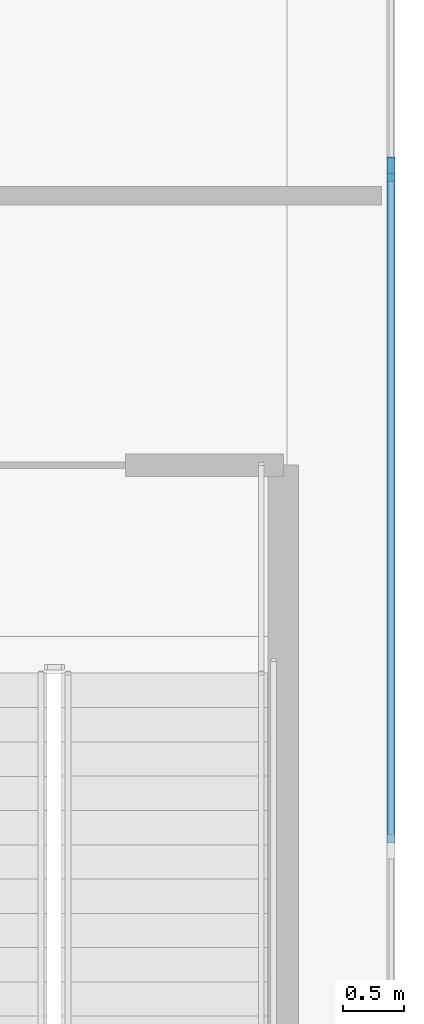
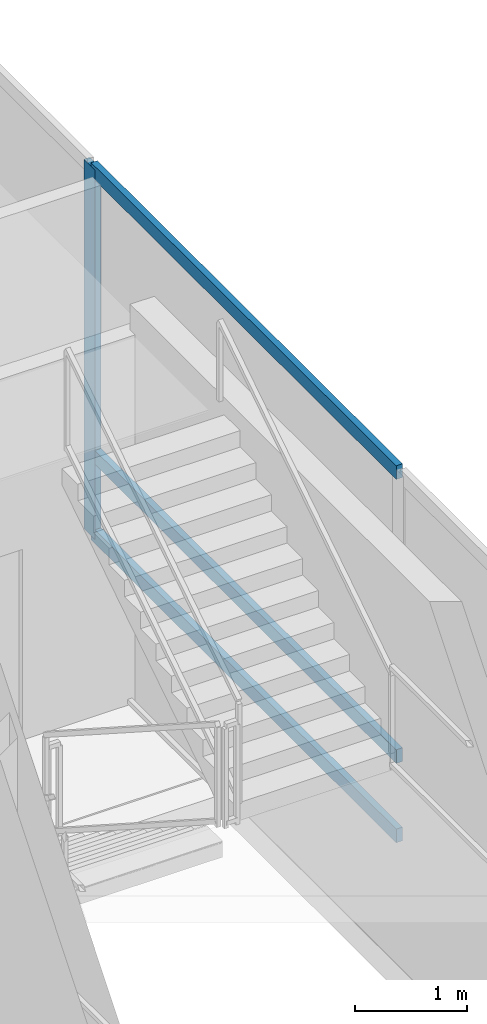
# One storey, part 6 of 18: 4 members, 1 element without a shape of its own.
"""IFC4 building model written with IfcOpenShell, lengths in metres."""

from ifc_helpers import new_model, si_unit, direction, frame, origin, origin_2d, place, context, subcontext, project, spatial, rectangle, extrude, source, transform, mapped, material, layer, layer_set, material_profile, profile_set, type_object, element, aggregate, save


model = new_model("IFC4")

# Units and contexts
model_context = context("Model", 3, precision=1e-05, world=origin(), true_north=direction((0.0, 1.0)))
body_context = subcontext(model_context, "Body", "Model", "MODEL_VIEW")
ifc_project = project(units=[si_unit("LENGTHUNIT", "METRE"), si_unit("AREAUNIT", "SQUARE_METRE"), si_unit("VOLUMEUNIT", "CUBIC_METRE"), si_unit("PLANEANGLEUNIT", "RADIAN"), si_unit("MASSUNIT", "GRAM", prefix="KILO")], contexts=[model_context])

# Site, building, storey
site_placement = place(None, origin())
site = spatial("IfcSite", under=ifc_project, at=site_placement, CompositionType="ELEMENT")
building_placement = place(site_placement, origin())
building = spatial("IfcBuilding", under=site, at=building_placement, Name="Brelvock Crest Care Tower", CompositionType="ELEMENT")
storey_placement = place(building_placement, frame((0.0, 0.0, 5.39990234375)))
storey = spatial("IfcBuildingStorey", under=building, at=storey_placement, Name="L01", CompositionType="ELEMENT", Elevation=5.39990234375)

# Curtain wall, members
ifc_material_1 = material(Name="Dark Glass Double Glazed Low-E", Category="glass")
ifc_layer = layer(ifc_material_1, 0.179931640625, Name="CWS-1")
ifc_layer_set = layer_set([ifc_layer], Name="Dark Glass Double Glazed Low-E")
curtain_wall_type = type_object("IfcCurtainWallType", Name="CWS-1", PredefinedType="NOTDEFINED", material=ifc_layer_set)
curtain_wall_placement = place(storey_placement, origin())
curtain_wall = element("IfcCurtainWall", 1, at=curtain_wall_placement, inside=storey, type_object=curtain_wall_type, Name="L01 Curtain Wall E14", PredefinedType="NOTDEFINED")
ifc_material_2 = material(Name="Aluminium 6063-T6", Category="aluminium")
ifc_material_profile_1 = material_profile(ifc_material_2, rectangle(XDim=0.06494140625, YDim=0.199951171875, at=origin_2d()), Name="ALU65x200")
ifc_profile_set_1 = profile_set([ifc_material_profile_1], Name="Aluminium 6063-T6")
member_type_1 = type_object("IfcMemberType", Name="CWM-1", PredefinedType="MULLION", material=ifc_profile_set_1)
shared_shape_1 = source(origin(), body_context, "Body", "SweptSolid", [
    extrude(rectangle(XDim=0.06494140625, YDim=0.199951171875, at=origin_2d()), origin(), (0.0, 0.0, 1.0), 4.0400390625),
])
member_1_placement = place(storey_placement, frame((65.0, 33.2666015625, 0.0), z_axis=(0.0, 0.0, 1.0), x_axis=(1.0, 0.0, 0.0)))
member_1 = element("IfcMember", 2, at=member_1_placement, type_object=member_type_1, Name="CW-1 mullion 5", PredefinedType="MULLION", context=body_context, shape_type="MappedRepresentation", body=[
    mapped(shared_shape_1, transform((0.0, 0.0, 0.0), x_axis=(1.0, 0.0, 0.0), y_axis=(0.0, 1.0, 0.0), z_axis=(0.0, 0.0, 1.0), scale=1.0)),
])
ifc_material_profile_2 = material_profile(ifc_material_2, rectangle(XDim=0.06494140625, YDim=0.14990234375, at=origin_2d()), Name="ALU65x150")
ifc_profile_set_2 = profile_set([ifc_material_profile_2], Name="Aluminium 6063-T6")
member_type_2 = type_object("IfcMemberType", Name="CWT-1", PredefinedType="USERDEFINED", material=ifc_profile_set_2)
shared_shape_2 = source(origin(), body_context, "Body", "SweptSolid", [
    extrude(rectangle(XDim=0.06494140625, YDim=0.14990234375, at=origin_2d()), origin(), (0.0, 0.0, 1.0), 5.46826171875),
])
member_2_placement = place(storey_placement, frame((65.0, 33.234130859375, 0.03271484375), z_axis=(0.0, -1.0, 0.0), x_axis=(1.0, 0.0, 0.0)))
member_2 = element("IfcMember", 3, at=member_2_placement, type_object=member_type_2, Name="CW-1 transom 5.1", ObjectType="TRANSOM", PredefinedType="USERDEFINED", context=body_context, shape_type="MappedRepresentation", body=[
    mapped(shared_shape_2, transform((0.0, 0.0, 0.0), x_axis=(1.0, 0.0, 0.0), y_axis=(0.0, 1.0, 0.0), z_axis=(0.0, 0.0, 1.0), scale=1.0)),
])
member_3_placement = place(storey_placement, frame((65.0, 33.234130859375, 0.900146484375), z_axis=(0.0, -1.0, 0.0), x_axis=(1.0, 0.0, 0.0)))
member_3 = element("IfcMember", 4, at=member_3_placement, type_object=member_type_2, Name="CW-1 transom 5.2", ObjectType="TRANSOM", PredefinedType="USERDEFINED", context=body_context, shape_type="MappedRepresentation", body=[
    mapped(shared_shape_2, transform((0.0, 0.0, 0.0), x_axis=(1.0, 0.0, 0.0), y_axis=(0.0, 1.0, 0.0), z_axis=(0.0, 0.0, 1.0), scale=1.0)),
])
member_4_placement = place(storey_placement, frame((65.0, 33.234130859375, 4.007568359375), z_axis=(0.0, -1.0, 0.0), x_axis=(1.0, 0.0, 0.0)))
member_4 = element("IfcMember", 5, at=member_4_placement, type_object=member_type_2, Name="CW-1 transom 5.3", ObjectType="TRANSOM", PredefinedType="USERDEFINED", context=body_context, shape_type="MappedRepresentation", body=[
    mapped(shared_shape_2, transform((0.0, 0.0, 0.0), x_axis=(1.0, 0.0, 0.0), y_axis=(0.0, 1.0, 0.0), z_axis=(0.0, 0.0, 1.0), scale=1.0)),
])
aggregate(curtain_wall, [member_1, member_2, member_3, member_4])

save(model, "model.ifc")
